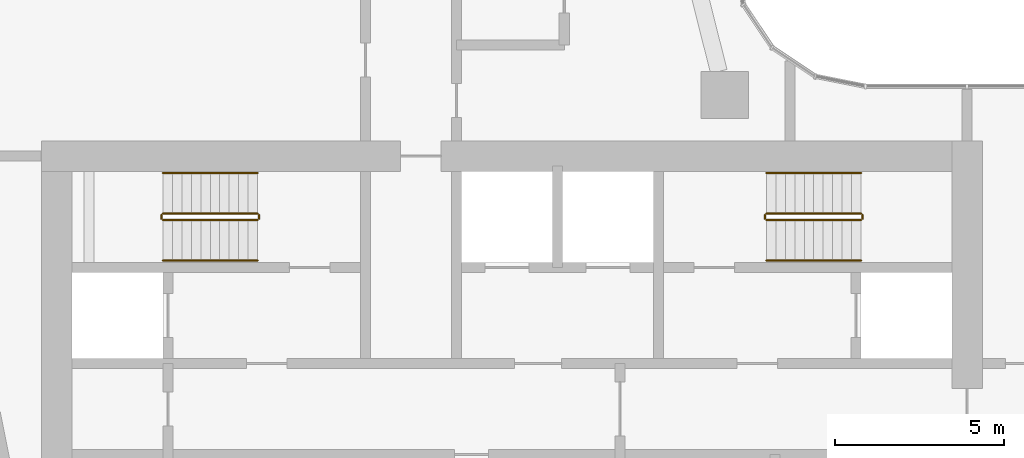
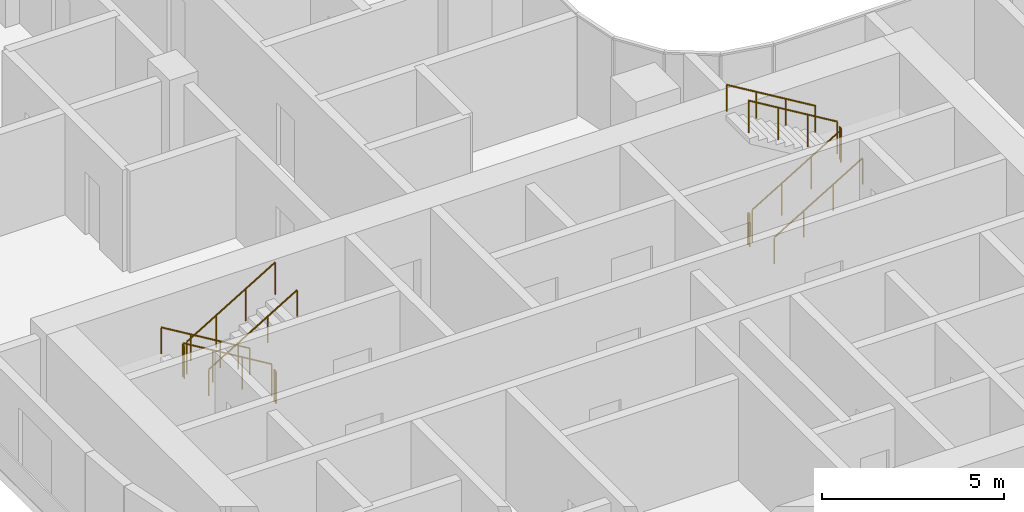
# One storey, part 27 of 32: 12 railings.
"""IFC4 building model written with IfcOpenShell, lengths in metres."""

from ifc_helpers import new_model, si_unit, direction, frame, origin, origin_2d, place, context, subcontext, project, spatial, circle, extrude, material, type_object, element, save


model = new_model("IFC4")

# Units and contexts
model_context = context("Model", 3, precision=1e-05, world=origin(), true_north=direction((0.0, 1.0)))
body_context = subcontext(model_context, "Body", "Model", "MODEL_VIEW")
ifc_project = project(units=[si_unit("LENGTHUNIT", "METRE"), si_unit("AREAUNIT", "SQUARE_METRE"), si_unit("VOLUMEUNIT", "CUBIC_METRE"), si_unit("PLANEANGLEUNIT", "RADIAN"), si_unit("MASSUNIT", "GRAM", prefix="KILO")], contexts=[model_context])

# Site, building, storey
site_placement = place(None, origin())
site = spatial("IfcSite", under=ifc_project, at=site_placement, CompositionType="ELEMENT")
building_placement = place(site_placement, origin())
building = spatial("IfcBuilding", under=site, at=building_placement, Name="Ogive Portal Towers", CompositionType="ELEMENT")
storey_placement = place(building_placement, frame((0.0, 0.0, 55.699951171875)))
storey = spatial("IfcBuildingStorey", under=building, at=storey_placement, Name="L12", CompositionType="ELEMENT", Elevation=55.699951171875)

# Railings
ifc_material_1 = material(Name="Stainless steel balustrade", Category="steel")
railing_type_1 = type_object("IfcRailingType", Name="INT-GUARD", PredefinedType="GUARDRAIL", material=ifc_material_1)
railing_1_placement = place(storey_placement, frame((37.449951171875, 37.800048828125, 0.168212890625)))
element("IfcRailing", 1, at=railing_1_placement, inside=storey, type_object=railing_type_1, Name="L12 ST-A1 stair guard 1", PredefinedType="GUARDRAIL", context=body_context, shape_type="SweptSolid", body=[
    extrude(circle(Radius=0.02392578125, at=origin_2d()), frame((0.0, 0.0, 1.076171875), z_axis=(-0.857242210791, 0.0, 0.514913383045), x_axis=(0.0, -1.0, 0.0)), (0.0, 0.0, 1.0), 3.266357421875),
    extrude(circle(Radius=0.02099609375, at=origin_2d()), origin(), (0.0, 0.0, 1.0), 1.052001953125),
    extrude(circle(Radius=0.02099609375, at=origin_2d()), frame((-0.933349609375, 0.0, 0.560546875)), (0.0, 0.0, 1.0), 1.052001953125),
    extrude(circle(Radius=0.02099609375, at=origin_2d()), frame((-1.86669921875, 0.0, 1.121337890625)), (0.0, 0.0, 1.0), 1.052001953125),
    extrude(circle(Radius=0.02099609375, at=origin_2d()), frame((-2.800048828125, 0.0, 1.681884765625)), (0.0, 0.0, 1.0), 1.052001953125),
])
railing_2_placement = place(storey_placement, frame((34.60009765625, 37.75, 1.85009765625)))
element("IfcRailing", 2, at=railing_2_placement, inside=storey, type_object=railing_type_1, Name="L12 ST-A1 stair guard 2", PredefinedType="GUARDRAIL", context=body_context, shape_type="SweptSolid", body=[
    extrude(circle(Radius=0.02392578125, at=origin_2d()), frame((0.0, 0.0, 1.076171875), z_axis=(0.0, -1.0, 0.0), x_axis=(1.0, 0.0, 0.0)), (0.0, 0.0, 1.0), 0.10009765625),
    extrude(circle(Radius=0.02099609375, at=origin_2d()), origin(), (0.0, 0.0, 1.0), 1.052001953125),
    extrude(circle(Radius=0.02099609375, at=origin_2d()), frame((0.0, -0.10009765625, 0.0)), (0.0, 0.0, 1.0), 1.052001953125),
])
railing_3_placement = place(storey_placement, frame((34.64990234375, 37.60009765625, 2.018310546875)))
element("IfcRailing", 3, at=railing_3_placement, inside=storey, type_object=railing_type_1, Name="L12 ST-A1 stair guard 3", PredefinedType="GUARDRAIL", context=body_context, shape_type="SweptSolid", body=[
    extrude(circle(Radius=0.02392578125, at=origin_2d()), frame((0.0, 0.0, 1.076171875), z_axis=(0.857275202839, 0.0, 0.514858452973), x_axis=(0.0, 1.0, 0.0)), (0.0, 0.0, 1.0), 3.26611328125),
    extrude(circle(Radius=0.02099609375, at=origin_2d()), origin(), (0.0, 0.0, 1.0), 1.052001953125),
    extrude(circle(Radius=0.02099609375, at=origin_2d()), frame((0.933349609375, 0.0, 0.560546875)), (0.0, 0.0, 1.0), 1.052001953125),
    extrude(circle(Radius=0.02099609375, at=origin_2d()), frame((1.86669921875, 0.0, 1.12109375)), (0.0, 0.0, 1.0), 1.052001953125),
    extrude(circle(Radius=0.02099609375, at=origin_2d()), frame((2.800048828125, 0.0, 1.681640625)), (0.0, 0.0, 1.0), 1.052001953125),
])
railing_4_placement = place(storey_placement, frame((37.5, 37.75, 0.0)))
element("IfcRailing", 4, at=railing_4_placement, inside=storey, type_object=railing_type_1, Name="L12 ST-A1 stair guard 4", PredefinedType="GUARDRAIL", context=body_context, shape_type="SweptSolid", body=[
    extrude(circle(Radius=0.02392578125, at=origin_2d()), frame((0.0, 0.0, 1.076171875), z_axis=(0.0, -1.0, 0.0), x_axis=(1.0, 0.0, 0.0)), (0.0, 0.0, 1.0), 0.10009765625),
    extrude(circle(Radius=0.02099609375, at=origin_2d()), origin(), (0.0, 0.0, 1.0), 1.052001953125),
    extrude(circle(Radius=0.02099609375, at=origin_2d()), frame((0.0, -0.10009765625, 0.0)), (0.0, 0.0, 1.0), 1.052001953125),
])
railing_5_placement = place(storey_placement, frame((52.550048828125, 37.60009765625, 0.168212890625)))
element("IfcRailing", 5, at=railing_5_placement, inside=storey, type_object=railing_type_1, Name="L12 ST-A2 stair guard 1", PredefinedType="GUARDRAIL", context=body_context, shape_type="SweptSolid", body=[
    extrude(circle(Radius=0.02392578125, at=origin_2d()), frame((0.0, 0.0, 1.076171875), z_axis=(0.857242210791, 0.0, 0.514913383045), x_axis=(0.0, 1.0, 0.0)), (0.0, 0.0, 1.0), 3.266357421875),
    extrude(circle(Radius=0.02099609375, at=origin_2d()), origin(), (0.0, 0.0, 1.0), 1.052001953125),
    extrude(circle(Radius=0.02099609375, at=origin_2d()), frame((0.933349609375, 0.0, 0.560546875)), (0.0, 0.0, 1.0), 1.052001953125),
    extrude(circle(Radius=0.02099609375, at=origin_2d()), frame((1.86669921875, 0.0, 1.121337890625)), (0.0, 0.0, 1.0), 1.052001953125),
    extrude(circle(Radius=0.02099609375, at=origin_2d()), frame((2.800048828125, 0.0, 1.681884765625)), (0.0, 0.0, 1.0), 1.052001953125),
])
railing_6_placement = place(storey_placement, frame((55.39990234375, 37.64990234375, 1.85009765625)))
element("IfcRailing", 6, at=railing_6_placement, inside=storey, type_object=railing_type_1, Name="L12 ST-A2 stair guard 2", PredefinedType="GUARDRAIL", context=body_context, shape_type="SweptSolid", body=[
    extrude(circle(Radius=0.02392578125, at=origin_2d()), frame((0.0, 0.0, 1.076171875), z_axis=(0.0, 1.0, 0.0), x_axis=(-1.0, 0.0, 0.0)), (0.0, 0.0, 1.0), 0.10009765625),
    extrude(circle(Radius=0.02099609375, at=origin_2d()), origin(), (0.0, 0.0, 1.0), 1.052001953125),
    extrude(circle(Radius=0.02099609375, at=origin_2d()), frame((0.0, 0.10009765625, 0.0)), (0.0, 0.0, 1.0), 1.052001953125),
])
railing_7_placement = place(storey_placement, frame((55.35009765625, 37.800048828125, 2.018310546875)))
element("IfcRailing", 7, at=railing_7_placement, inside=storey, type_object=railing_type_1, Name="L12 ST-A2 stair guard 3", PredefinedType="GUARDRAIL", context=body_context, shape_type="SweptSolid", body=[
    extrude(circle(Radius=0.02392578125, at=origin_2d()), frame((0.0, 0.0, 1.076171875), z_axis=(-0.857275202839, 0.0, 0.514858452973), x_axis=(0.0, -1.0, 0.0)), (0.0, 0.0, 1.0), 3.26611328125),
    extrude(circle(Radius=0.02099609375, at=origin_2d()), origin(), (0.0, 0.0, 1.0), 1.052001953125),
    extrude(circle(Radius=0.02099609375, at=origin_2d()), frame((-0.933349609375, 0.0, 0.560546875)), (0.0, 0.0, 1.0), 1.052001953125),
    extrude(circle(Radius=0.02099609375, at=origin_2d()), frame((-1.86669921875, 0.0, 1.12109375)), (0.0, 0.0, 1.0), 1.052001953125),
    extrude(circle(Radius=0.02099609375, at=origin_2d()), frame((-2.800048828125, 0.0, 1.681640625)), (0.0, 0.0, 1.0), 1.052001953125),
])
railing_8_placement = place(storey_placement, frame((52.5, 37.64990234375, 0.0)))
element("IfcRailing", 8, at=railing_8_placement, inside=storey, type_object=railing_type_1, Name="L12 ST-A2 stair guard 4", PredefinedType="GUARDRAIL", context=body_context, shape_type="SweptSolid", body=[
    extrude(circle(Radius=0.02392578125, at=origin_2d()), frame((0.0, 0.0, 1.076171875), z_axis=(0.0, 1.0, 0.0), x_axis=(-1.0, 0.0, 0.0)), (0.0, 0.0, 1.0), 0.10009765625),
    extrude(circle(Radius=0.02099609375, at=origin_2d()), origin(), (0.0, 0.0, 1.0), 1.052001953125),
    extrude(circle(Radius=0.02099609375, at=origin_2d()), frame((0.0, 0.10009765625, 0.0)), (0.0, 0.0, 1.0), 1.052001953125),
])
ifc_material_2 = material(Name="Stainless steel handrail", Category="steel")
railing_type_2 = type_object("IfcRailingType", Name="INT-HANDRAIL", PredefinedType="HANDRAIL", material=ifc_material_2)
railing_9_placement = place(storey_placement, frame((37.449951171875, 39.0, 0.168212890625)))
element("IfcRailing", 9, at=railing_9_placement, inside=storey, type_object=railing_type_2, Name="L12 ST-A1 stair handrail 1", PredefinedType="HANDRAIL", context=body_context, shape_type="SweptSolid", body=[
    extrude(circle(Radius=0.02392578125, at=origin_2d()), frame((0.0, 0.0, 0.8759765625), z_axis=(-0.857242210791, 0.0, 0.514913383045), x_axis=(0.0, -1.0, 0.0)), (0.0, 0.0, 1.0), 3.266357421875),
    extrude(circle(Radius=0.02099609375, at=origin_2d()), origin(), (0.0, 0.0, 1.0), 0.851806640625),
    extrude(circle(Radius=0.02099609375, at=origin_2d()), frame((-0.933349609375, 0.0, 0.560546875)), (0.0, 0.0, 1.0), 0.851806640625),
    extrude(circle(Radius=0.02099609375, at=origin_2d()), frame((-1.86669921875, 0.0, 1.121337890625)), (0.0, 0.0, 1.0), 0.851806640625),
    extrude(circle(Radius=0.02099609375, at=origin_2d()), frame((-2.800048828125, 0.0, 1.681884765625)), (0.0, 0.0, 1.0), 0.851806640625),
])
railing_10_placement = place(storey_placement, frame((34.64990234375, 36.39990234375, 2.018310546875)))
element("IfcRailing", 10, at=railing_10_placement, inside=storey, type_object=railing_type_2, Name="L12 ST-A1 stair handrail 2", PredefinedType="HANDRAIL", context=body_context, shape_type="SweptSolid", body=[
    extrude(circle(Radius=0.02392578125, at=origin_2d()), frame((0.0, 0.0, 0.8759765625), z_axis=(0.857275202839, 0.0, 0.514858452973), x_axis=(0.0, 1.0, 0.0)), (0.0, 0.0, 1.0), 3.26611328125),
    extrude(circle(Radius=0.02099609375, at=origin_2d()), origin(), (0.0, 0.0, 1.0), 0.851806640625),
    extrude(circle(Radius=0.02099609375, at=origin_2d()), frame((0.933349609375, 0.0, 0.560546875)), (0.0, 0.0, 1.0), 0.851806640625),
    extrude(circle(Radius=0.02099609375, at=origin_2d()), frame((1.86669921875, 0.0, 1.12109375)), (0.0, 0.0, 1.0), 0.851806640625),
    extrude(circle(Radius=0.02099609375, at=origin_2d()), frame((2.800048828125, 0.0, 1.681640625)), (0.0, 0.0, 1.0), 0.851806640625),
])
railing_11_placement = place(storey_placement, frame((52.550048828125, 36.39990234375, 0.168212890625)))
element("IfcRailing", 11, at=railing_11_placement, inside=storey, type_object=railing_type_2, Name="L12 ST-A2 stair handrail 1", PredefinedType="HANDRAIL", context=body_context, shape_type="SweptSolid", body=[
    extrude(circle(Radius=0.02392578125, at=origin_2d()), frame((0.0, 0.0, 0.8759765625), z_axis=(0.857242210791, 0.0, 0.514913383045), x_axis=(0.0, 1.0, 0.0)), (0.0, 0.0, 1.0), 3.266357421875),
    extrude(circle(Radius=0.02099609375, at=origin_2d()), origin(), (0.0, 0.0, 1.0), 0.851806640625),
    extrude(circle(Radius=0.02099609375, at=origin_2d()), frame((0.933349609375, 0.0, 0.560546875)), (0.0, 0.0, 1.0), 0.851806640625),
    extrude(circle(Radius=0.02099609375, at=origin_2d()), frame((1.86669921875, 0.0, 1.121337890625)), (0.0, 0.0, 1.0), 0.851806640625),
    extrude(circle(Radius=0.02099609375, at=origin_2d()), frame((2.800048828125, 0.0, 1.681884765625)), (0.0, 0.0, 1.0), 0.851806640625),
])
railing_12_placement = place(storey_placement, frame((55.35009765625, 39.0, 2.018310546875)))
element("IfcRailing", 12, at=railing_12_placement, inside=storey, type_object=railing_type_2, Name="L12 ST-A2 stair handrail 2", PredefinedType="HANDRAIL", context=body_context, shape_type="SweptSolid", body=[
    extrude(circle(Radius=0.02392578125, at=origin_2d()), frame((0.0, 0.0, 0.8759765625), z_axis=(-0.857275202839, 0.0, 0.514858452973), x_axis=(0.0, -1.0, 0.0)), (0.0, 0.0, 1.0), 3.26611328125),
    extrude(circle(Radius=0.02099609375, at=origin_2d()), origin(), (0.0, 0.0, 1.0), 0.851806640625),
    extrude(circle(Radius=0.02099609375, at=origin_2d()), frame((-0.933349609375, 0.0, 0.560546875)), (0.0, 0.0, 1.0), 0.851806640625),
    extrude(circle(Radius=0.02099609375, at=origin_2d()), frame((-1.86669921875, 0.0, 1.12109375)), (0.0, 0.0, 1.0), 0.851806640625),
    extrude(circle(Radius=0.02099609375, at=origin_2d()), frame((-2.800048828125, 0.0, 1.681640625)), (0.0, 0.0, 1.0), 0.851806640625),
])

save(model, "model.ifc")
